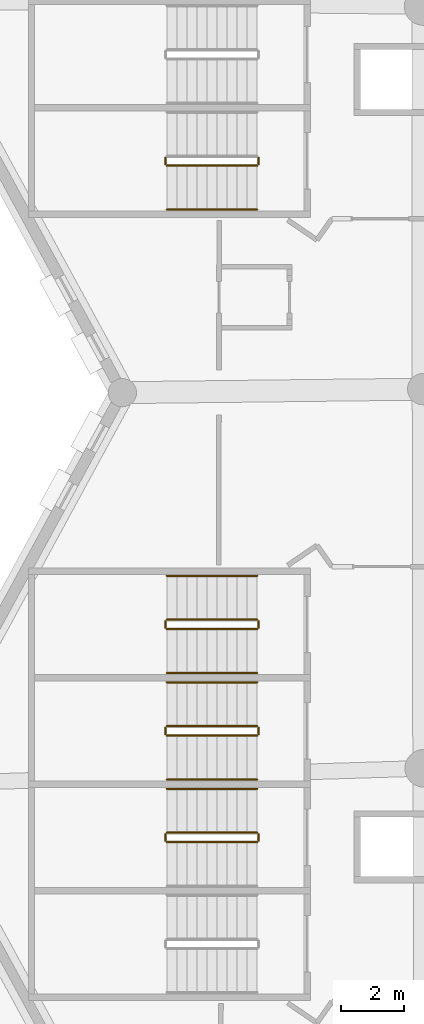
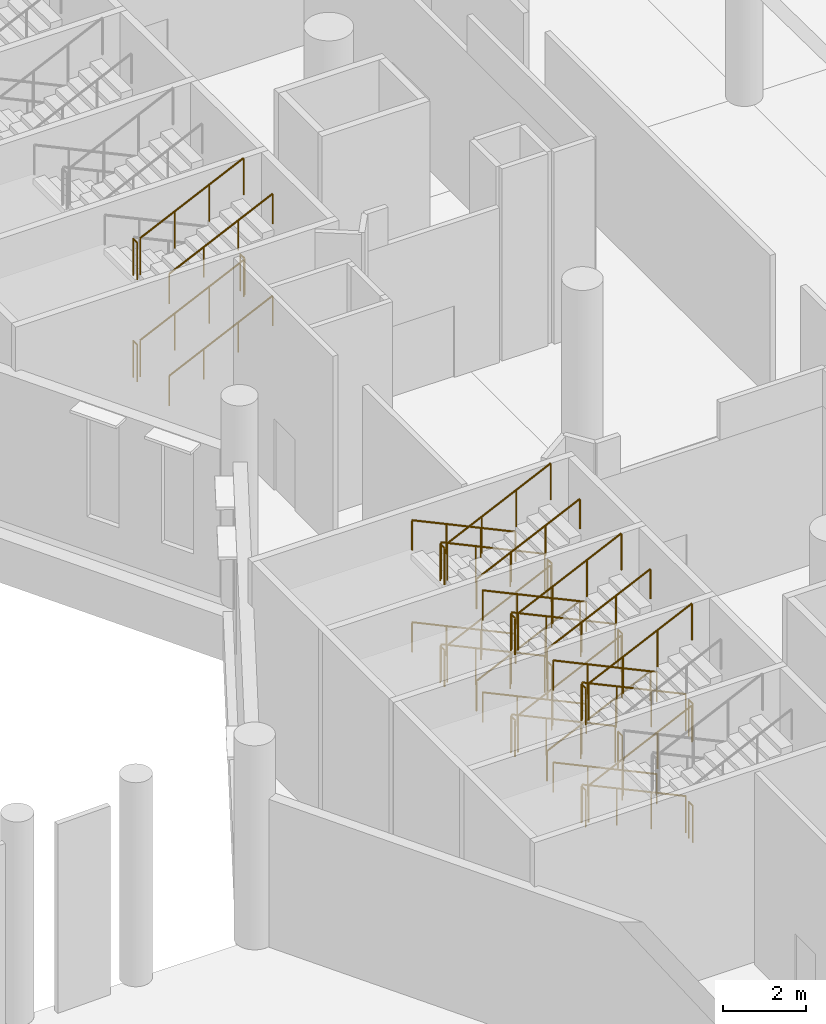
# One storey, part 212 of 249: 41 railings.
"""IFC4 building model written with IfcOpenShell, lengths in metres."""

from ifc_helpers import new_model, si_unit, direction, frame, origin, origin_2d, place, context, subcontext, project, spatial, circle, extrude, material, type_object, element, save


model = new_model("IFC4")

# Units and contexts
model_context = context("Model", 3, precision=1e-05, world=origin(), true_north=direction((0.0, 1.0)))
body_context = subcontext(model_context, "Body", "Model", "MODEL_VIEW")
ifc_project = project(units=[si_unit("LENGTHUNIT", "METRE"), si_unit("AREAUNIT", "SQUARE_METRE"), si_unit("VOLUMEUNIT", "CUBIC_METRE"), si_unit("PLANEANGLEUNIT", "RADIAN"), si_unit("MASSUNIT", "GRAM", prefix="KILO")], contexts=[model_context])

# Site, building, storey
site_placement = place(None, origin())
site = spatial("IfcSite", under=ifc_project, at=site_placement, CompositionType="ELEMENT")
building_placement = place(site_placement, origin())
building = spatial("IfcBuilding", under=site, at=building_placement, Name="Meseta Stadium", CompositionType="ELEMENT")
storey_placement = place(building_placement, frame((0.0, 0.0, 12.0)))
storey = spatial("IfcBuildingStorey", under=building, at=storey_placement, Name="L02", CompositionType="ELEMENT", Elevation=12.0)

# Railings
ifc_material_1 = material(Name="Steel S355", Category="steel")
railing_type_1 = type_object("IfcRailingType", Name="Stair guard 1100", PredefinedType="GUARDRAIL", material=ifc_material_1)
railing_1_placement = place(storey_placement, frame((-93.22998046875, 1.25, 1.5)))
element("IfcRailing", 1, at=railing_1_placement, inside=storey, type_object=railing_type_1, Name="ST68 L02 guard 2", PredefinedType="GUARDRAIL", context=body_context, shape_type="SweptSolid", body=[
    extrude(circle(Radius=0.02392578125, at=origin_2d()), frame((0.0, 0.0, 1.076171875), z_axis=(0.0, -1.0, 0.0), x_axis=(1.0, 0.0, 0.0)), (0.0, 0.0, 1.0), 0.199951171875),
    extrude(circle(Radius=0.02099609375, at=origin_2d()), origin(), (0.0, 0.0, 1.0), 1.052001953125),
    extrude(circle(Radius=0.02099609375, at=origin_2d()), frame((0.0, -0.199951171875, 0.0)), (0.0, 0.0, 1.0), 1.052001953125),
])
railing_2_placement = place(storey_placement, frame((-93.179931640625, 1.0, 1.64990234375)))
element("IfcRailing", 2, at=railing_2_placement, inside=storey, type_object=railing_type_1, Name="ST68 L02 guard 3", PredefinedType="GUARDRAIL", context=body_context, shape_type="SweptSolid", body=[
    extrude(circle(Radius=0.02392578125, at=origin_2d()), frame((0.0, 0.0, 1.076171875), z_axis=(0.905440498372, 0.0, 0.424473207528), x_axis=(0.0, 1.0, 0.0)), (0.0, 0.0, 1.0), 3.1806640625),
    extrude(circle(Radius=0.02099609375, at=origin_2d()), origin(), (0.0, 0.0, 1.0), 1.052001953125),
    extrude(circle(Radius=0.02099609375, at=origin_2d()), frame((0.9599609375, 0.0, 0.449951171875)), (0.0, 0.0, 1.0), 1.052001953125),
    extrude(circle(Radius=0.02099609375, at=origin_2d()), frame((1.919921875, 0.0, 0.900146484375)), (0.0, 0.0, 1.0), 1.052001953125),
    extrude(circle(Radius=0.02099609375, at=origin_2d()), frame((2.8798828125, 0.0, 1.35009765625)), (0.0, 0.0, 1.0), 1.052001953125),
])
for number, where, name in (
    (3, (-90.25, 1.25, 3.0), "ST68 L02 guard 4"),
    (4, (-93.22998046875, 1.25, 4.5), "ST68 L02 guard 6"),
):
    element("IfcRailing", number, at=place(storey_placement, frame(where)), inside=storey, type_object=railing_type_1, Name=name, PredefinedType="GUARDRAIL", context=body_context, shape_type="SweptSolid", body=[
        extrude(circle(Radius=0.02392578125, at=origin_2d()), frame((0.0, 0.0, 1.076171875), z_axis=(0.0, -1.0, 0.0), x_axis=(1.0, 0.0, 0.0)), (0.0, 0.0, 1.0), 0.199951171875),
        extrude(circle(Radius=0.02099609375, at=origin_2d()), origin(), (0.0, 0.0, 1.0), 1.052001953125),
        extrude(circle(Radius=0.02099609375, at=origin_2d()), frame((0.0, -0.199951171875, 0.0)), (0.0, 0.0, 1.0), 1.052001953125),
    ])
railing_3_placement = place(storey_placement, frame((-93.179931640625, 1.0, 4.64990234375)))
element("IfcRailing", 5, at=railing_3_placement, inside=storey, type_object=railing_type_1, Name="ST68 L02 guard 7", PredefinedType="GUARDRAIL", context=body_context, shape_type="SweptSolid", body=[
    extrude(circle(Radius=0.02392578125, at=origin_2d()), frame((0.0, 0.0, 1.076171875), z_axis=(0.905440498372, 0.0, 0.424473207528), x_axis=(0.0, 1.0, 0.0)), (0.0, 0.0, 1.0), 3.1806640625),
    extrude(circle(Radius=0.02099609375, at=origin_2d()), origin(), (0.0, 0.0, 1.0), 1.052001953125),
    extrude(circle(Radius=0.02099609375, at=origin_2d()), frame((0.9599609375, 0.0, 0.449951171875)), (0.0, 0.0, 1.0), 1.052001953125),
    extrude(circle(Radius=0.02099609375, at=origin_2d()), frame((1.919921875, 0.0, 0.900146484375)), (0.0, 0.0, 1.0), 1.052001953125),
    extrude(circle(Radius=0.02099609375, at=origin_2d()), frame((2.8798828125, 0.0, 1.35009765625)), (0.0, 0.0, 1.0), 1.052001953125),
])
railing_4_placement = place(storey_placement, frame((-90.300048828125, -13.5, 0.14990234375)))
element("IfcRailing", 6, at=railing_4_placement, inside=storey, type_object=railing_type_1, Name="ST69 L02 guard 1", PredefinedType="GUARDRAIL", context=body_context, shape_type="SweptSolid", body=[
    extrude(circle(Radius=0.02392578125, at=origin_2d()), frame((0.0, 0.0, 1.076171875), z_axis=(-0.905440498372, 0.0, 0.424473207528), x_axis=(0.0, -1.0, 0.0)), (0.0, 0.0, 1.0), 3.1806640625),
    extrude(circle(Radius=0.02099609375, at=origin_2d()), origin(), (0.0, 0.0, 1.0), 1.052001953125),
    extrude(circle(Radius=0.02099609375, at=origin_2d()), frame((-0.9599609375, 0.0, 0.449951171875)), (0.0, 0.0, 1.0), 1.052001953125),
    extrude(circle(Radius=0.02099609375, at=origin_2d()), frame((-1.919921875, 0.0, 0.900146484375)), (0.0, 0.0, 1.0), 1.052001953125),
    extrude(circle(Radius=0.02099609375, at=origin_2d()), frame((-2.8798828125, 0.0, 1.35009765625)), (0.0, 0.0, 1.0), 1.052001953125),
])
railing_5_placement = place(storey_placement, frame((-93.22998046875, -13.550048828125, 1.5)))
element("IfcRailing", 7, at=railing_5_placement, inside=storey, type_object=railing_type_1, Name="ST69 L02 guard 2", PredefinedType="GUARDRAIL", context=body_context, shape_type="SweptSolid", body=[
    extrude(circle(Radius=0.02392578125, at=origin_2d()), frame((0.0, 0.0, 1.076171875), z_axis=(0.0, -1.0, 0.0), x_axis=(1.0, 0.0, 0.0)), (0.0, 0.0, 1.0), 0.199951171875),
    extrude(circle(Radius=0.02099609375, at=origin_2d()), origin(), (0.0, 0.0, 1.0), 1.052001953125),
    extrude(circle(Radius=0.02099609375, at=origin_2d()), frame((0.0, -0.199951171875, 0.0)), (0.0, 0.0, 1.0), 1.052001953125),
])
railing_6_placement = place(storey_placement, frame((-93.179931640625, -13.800048828125, 1.64990234375)))
element("IfcRailing", 8, at=railing_6_placement, inside=storey, type_object=railing_type_1, Name="ST69 L02 guard 3", PredefinedType="GUARDRAIL", context=body_context, shape_type="SweptSolid", body=[
    extrude(circle(Radius=0.02392578125, at=origin_2d()), frame((0.0, 0.0, 1.076171875), z_axis=(0.905440498372, 0.0, 0.424473207528), x_axis=(0.0, 1.0, 0.0)), (0.0, 0.0, 1.0), 3.1806640625),
    extrude(circle(Radius=0.02099609375, at=origin_2d()), origin(), (0.0, 0.0, 1.0), 1.052001953125),
    extrude(circle(Radius=0.02099609375, at=origin_2d()), frame((0.9599609375, 0.0, 0.449951171875)), (0.0, 0.0, 1.0), 1.052001953125),
    extrude(circle(Radius=0.02099609375, at=origin_2d()), frame((1.919921875, 0.0, 0.900146484375)), (0.0, 0.0, 1.0), 1.052001953125),
    extrude(circle(Radius=0.02099609375, at=origin_2d()), frame((2.8798828125, 0.0, 1.35009765625)), (0.0, 0.0, 1.0), 1.052001953125),
])
railing_7_placement = place(storey_placement, frame((-90.25, -13.550048828125, 3.0)))
element("IfcRailing", 9, at=railing_7_placement, inside=storey, type_object=railing_type_1, Name="ST69 L02 guard 4", PredefinedType="GUARDRAIL", context=body_context, shape_type="SweptSolid", body=[
    extrude(circle(Radius=0.02392578125, at=origin_2d()), frame((0.0, 0.0, 1.076171875), z_axis=(0.0, -1.0, 0.0), x_axis=(1.0, 0.0, 0.0)), (0.0, 0.0, 1.0), 0.199951171875),
    extrude(circle(Radius=0.02099609375, at=origin_2d()), origin(), (0.0, 0.0, 1.0), 1.052001953125),
    extrude(circle(Radius=0.02099609375, at=origin_2d()), frame((0.0, -0.199951171875, 0.0)), (0.0, 0.0, 1.0), 1.052001953125),
])
railing_8_placement = place(storey_placement, frame((-90.300048828125, -13.5, 3.14990234375)))
element("IfcRailing", 10, at=railing_8_placement, inside=storey, type_object=railing_type_1, Name="ST69 L02 guard 5", PredefinedType="GUARDRAIL", context=body_context, shape_type="SweptSolid", body=[
    extrude(circle(Radius=0.02392578125, at=origin_2d()), frame((0.0, 0.0, 1.076171875), z_axis=(-0.905440498372, 0.0, 0.424473207528), x_axis=(0.0, -1.0, 0.0)), (0.0, 0.0, 1.0), 3.1806640625),
    extrude(circle(Radius=0.02099609375, at=origin_2d()), origin(), (0.0, 0.0, 1.0), 1.052001953125),
    extrude(circle(Radius=0.02099609375, at=origin_2d()), frame((-0.9599609375, 0.0, 0.449951171875)), (0.0, 0.0, 1.0), 1.052001953125),
    extrude(circle(Radius=0.02099609375, at=origin_2d()), frame((-1.919921875, 0.0, 0.900146484375)), (0.0, 0.0, 1.0), 1.052001953125),
    extrude(circle(Radius=0.02099609375, at=origin_2d()), frame((-2.8798828125, 0.0, 1.35009765625)), (0.0, 0.0, 1.0), 1.052001953125),
])
railing_9_placement = place(storey_placement, frame((-93.22998046875, -13.550048828125, 4.5)))
element("IfcRailing", 11, at=railing_9_placement, inside=storey, type_object=railing_type_1, Name="ST69 L02 guard 6", PredefinedType="GUARDRAIL", context=body_context, shape_type="SweptSolid", body=[
    extrude(circle(Radius=0.02392578125, at=origin_2d()), frame((0.0, 0.0, 1.076171875), z_axis=(0.0, -1.0, 0.0), x_axis=(1.0, 0.0, 0.0)), (0.0, 0.0, 1.0), 0.199951171875),
    extrude(circle(Radius=0.02099609375, at=origin_2d()), origin(), (0.0, 0.0, 1.0), 1.052001953125),
    extrude(circle(Radius=0.02099609375, at=origin_2d()), frame((0.0, -0.199951171875, 0.0)), (0.0, 0.0, 1.0), 1.052001953125),
])
railing_10_placement = place(storey_placement, frame((-93.179931640625, -13.800048828125, 4.64990234375)))
element("IfcRailing", 12, at=railing_10_placement, inside=storey, type_object=railing_type_1, Name="ST69 L02 guard 7", PredefinedType="GUARDRAIL", context=body_context, shape_type="SweptSolid", body=[
    extrude(circle(Radius=0.02392578125, at=origin_2d()), frame((0.0, 0.0, 1.076171875), z_axis=(0.905440498372, 0.0, 0.424473207528), x_axis=(0.0, 1.0, 0.0)), (0.0, 0.0, 1.0), 3.1806640625),
    extrude(circle(Radius=0.02099609375, at=origin_2d()), origin(), (0.0, 0.0, 1.0), 1.052001953125),
    extrude(circle(Radius=0.02099609375, at=origin_2d()), frame((0.9599609375, 0.0, 0.449951171875)), (0.0, 0.0, 1.0), 1.052001953125),
    extrude(circle(Radius=0.02099609375, at=origin_2d()), frame((1.919921875, 0.0, 0.900146484375)), (0.0, 0.0, 1.0), 1.052001953125),
    extrude(circle(Radius=0.02099609375, at=origin_2d()), frame((2.8798828125, 0.0, 1.35009765625)), (0.0, 0.0, 1.0), 1.052001953125),
])
railing_11_placement = place(storey_placement, frame((-90.25, -13.550048828125, 0.0)))
element("IfcRailing", 13, at=railing_11_placement, inside=storey, type_object=railing_type_1, Name="ST69 L02 guard 8", PredefinedType="GUARDRAIL", context=body_context, shape_type="SweptSolid", body=[
    extrude(circle(Radius=0.02392578125, at=origin_2d()), frame((0.0, 0.0, 1.076171875), z_axis=(0.0, -1.0, 0.0), x_axis=(1.0, 0.0, 0.0)), (0.0, 0.0, 1.0), 0.199951171875),
    extrude(circle(Radius=0.02099609375, at=origin_2d()), origin(), (0.0, 0.0, 1.0), 1.052001953125),
    extrude(circle(Radius=0.02099609375, at=origin_2d()), frame((0.0, -0.199951171875, 0.0)), (0.0, 0.0, 1.0), 1.052001953125),
])
railing_12_placement = place(storey_placement, frame((-90.300048828125, -16.89990234375, 0.14990234375)))
element("IfcRailing", 14, at=railing_12_placement, inside=storey, type_object=railing_type_1, Name="ST70 L02 guard 1", PredefinedType="GUARDRAIL", context=body_context, shape_type="SweptSolid", body=[
    extrude(circle(Radius=0.02392578125, at=origin_2d()), frame((0.0, 0.0, 1.076171875), z_axis=(-0.905440498372, 0.0, 0.424473207528), x_axis=(0.0, -1.0, 0.0)), (0.0, 0.0, 1.0), 3.1806640625),
    extrude(circle(Radius=0.02099609375, at=origin_2d()), origin(), (0.0, 0.0, 1.0), 1.052001953125),
    extrude(circle(Radius=0.02099609375, at=origin_2d()), frame((-0.9599609375, 0.0, 0.449951171875)), (0.0, 0.0, 1.0), 1.052001953125),
    extrude(circle(Radius=0.02099609375, at=origin_2d()), frame((-1.919921875, 0.0, 0.900146484375)), (0.0, 0.0, 1.0), 1.052001953125),
    extrude(circle(Radius=0.02099609375, at=origin_2d()), frame((-2.8798828125, 0.0, 1.35009765625)), (0.0, 0.0, 1.0), 1.052001953125),
])
railing_13_placement = place(storey_placement, frame((-93.22998046875, -16.949951171875, 1.5)))
element("IfcRailing", 15, at=railing_13_placement, inside=storey, type_object=railing_type_1, Name="ST70 L02 guard 2", PredefinedType="GUARDRAIL", context=body_context, shape_type="SweptSolid", body=[
    extrude(circle(Radius=0.02392578125, at=origin_2d()), frame((0.0, 0.0, 1.076171875), z_axis=(0.0, -1.0, 0.0), x_axis=(1.0, 0.0, 0.0)), (0.0, 0.0, 1.0), 0.199951171875),
    extrude(circle(Radius=0.02099609375, at=origin_2d()), origin(), (0.0, 0.0, 1.0), 1.052001953125),
    extrude(circle(Radius=0.02099609375, at=origin_2d()), frame((0.0, -0.199951171875, 0.0)), (0.0, 0.0, 1.0), 1.052001953125),
])
railing_14_placement = place(storey_placement, frame((-93.179931640625, -17.199951171875, 1.64990234375)))
element("IfcRailing", 16, at=railing_14_placement, inside=storey, type_object=railing_type_1, Name="ST70 L02 guard 3", PredefinedType="GUARDRAIL", context=body_context, shape_type="SweptSolid", body=[
    extrude(circle(Radius=0.02392578125, at=origin_2d()), frame((0.0, 0.0, 1.076171875), z_axis=(0.905440498372, 0.0, 0.424473207528), x_axis=(0.0, 1.0, 0.0)), (0.0, 0.0, 1.0), 3.1806640625),
    extrude(circle(Radius=0.02099609375, at=origin_2d()), origin(), (0.0, 0.0, 1.0), 1.052001953125),
    extrude(circle(Radius=0.02099609375, at=origin_2d()), frame((0.9599609375, 0.0, 0.449951171875)), (0.0, 0.0, 1.0), 1.052001953125),
    extrude(circle(Radius=0.02099609375, at=origin_2d()), frame((1.919921875, 0.0, 0.900146484375)), (0.0, 0.0, 1.0), 1.052001953125),
    extrude(circle(Radius=0.02099609375, at=origin_2d()), frame((2.8798828125, 0.0, 1.35009765625)), (0.0, 0.0, 1.0), 1.052001953125),
])
railing_15_placement = place(storey_placement, frame((-90.25, -16.949951171875, 3.0)))
element("IfcRailing", 17, at=railing_15_placement, inside=storey, type_object=railing_type_1, Name="ST70 L02 guard 4", PredefinedType="GUARDRAIL", context=body_context, shape_type="SweptSolid", body=[
    extrude(circle(Radius=0.02392578125, at=origin_2d()), frame((0.0, 0.0, 1.076171875), z_axis=(0.0, -1.0, 0.0), x_axis=(1.0, 0.0, 0.0)), (0.0, 0.0, 1.0), 0.199951171875),
    extrude(circle(Radius=0.02099609375, at=origin_2d()), origin(), (0.0, 0.0, 1.0), 1.052001953125),
    extrude(circle(Radius=0.02099609375, at=origin_2d()), frame((0.0, -0.199951171875, 0.0)), (0.0, 0.0, 1.0), 1.052001953125),
])
railing_16_placement = place(storey_placement, frame((-90.300048828125, -16.89990234375, 3.14990234375)))
element("IfcRailing", 18, at=railing_16_placement, inside=storey, type_object=railing_type_1, Name="ST70 L02 guard 5", PredefinedType="GUARDRAIL", context=body_context, shape_type="SweptSolid", body=[
    extrude(circle(Radius=0.02392578125, at=origin_2d()), frame((0.0, 0.0, 1.076171875), z_axis=(-0.905440498372, 0.0, 0.424473207528), x_axis=(0.0, -1.0, 0.0)), (0.0, 0.0, 1.0), 3.1806640625),
    extrude(circle(Radius=0.02099609375, at=origin_2d()), origin(), (0.0, 0.0, 1.0), 1.052001953125),
    extrude(circle(Radius=0.02099609375, at=origin_2d()), frame((-0.9599609375, 0.0, 0.449951171875)), (0.0, 0.0, 1.0), 1.052001953125),
    extrude(circle(Radius=0.02099609375, at=origin_2d()), frame((-1.919921875, 0.0, 0.900146484375)), (0.0, 0.0, 1.0), 1.052001953125),
    extrude(circle(Radius=0.02099609375, at=origin_2d()), frame((-2.8798828125, 0.0, 1.35009765625)), (0.0, 0.0, 1.0), 1.052001953125),
])
railing_17_placement = place(storey_placement, frame((-93.22998046875, -16.949951171875, 4.5)))
element("IfcRailing", 19, at=railing_17_placement, inside=storey, type_object=railing_type_1, Name="ST70 L02 guard 6", PredefinedType="GUARDRAIL", context=body_context, shape_type="SweptSolid", body=[
    extrude(circle(Radius=0.02392578125, at=origin_2d()), frame((0.0, 0.0, 1.076171875), z_axis=(0.0, -1.0, 0.0), x_axis=(1.0, 0.0, 0.0)), (0.0, 0.0, 1.0), 0.199951171875),
    extrude(circle(Radius=0.02099609375, at=origin_2d()), origin(), (0.0, 0.0, 1.0), 1.052001953125),
    extrude(circle(Radius=0.02099609375, at=origin_2d()), frame((0.0, -0.199951171875, 0.0)), (0.0, 0.0, 1.0), 1.052001953125),
])
railing_18_placement = place(storey_placement, frame((-93.179931640625, -17.199951171875, 4.64990234375)))
element("IfcRailing", 20, at=railing_18_placement, inside=storey, type_object=railing_type_1, Name="ST70 L02 guard 7", PredefinedType="GUARDRAIL", context=body_context, shape_type="SweptSolid", body=[
    extrude(circle(Radius=0.02392578125, at=origin_2d()), frame((0.0, 0.0, 1.076171875), z_axis=(0.905440498372, 0.0, 0.424473207528), x_axis=(0.0, 1.0, 0.0)), (0.0, 0.0, 1.0), 3.1806640625),
    extrude(circle(Radius=0.02099609375, at=origin_2d()), origin(), (0.0, 0.0, 1.0), 1.052001953125),
    extrude(circle(Radius=0.02099609375, at=origin_2d()), frame((0.9599609375, 0.0, 0.449951171875)), (0.0, 0.0, 1.0), 1.052001953125),
    extrude(circle(Radius=0.02099609375, at=origin_2d()), frame((1.919921875, 0.0, 0.900146484375)), (0.0, 0.0, 1.0), 1.052001953125),
    extrude(circle(Radius=0.02099609375, at=origin_2d()), frame((2.8798828125, 0.0, 1.35009765625)), (0.0, 0.0, 1.0), 1.052001953125),
])
railing_19_placement = place(storey_placement, frame((-90.25, -16.949951171875, 0.0)))
element("IfcRailing", 21, at=railing_19_placement, inside=storey, type_object=railing_type_1, Name="ST70 L02 guard 8", PredefinedType="GUARDRAIL", context=body_context, shape_type="SweptSolid", body=[
    extrude(circle(Radius=0.02392578125, at=origin_2d()), frame((0.0, 0.0, 1.076171875), z_axis=(0.0, -1.0, 0.0), x_axis=(1.0, 0.0, 0.0)), (0.0, 0.0, 1.0), 0.199951171875),
    extrude(circle(Radius=0.02099609375, at=origin_2d()), origin(), (0.0, 0.0, 1.0), 1.052001953125),
    extrude(circle(Radius=0.02099609375, at=origin_2d()), frame((0.0, -0.199951171875, 0.0)), (0.0, 0.0, 1.0), 1.052001953125),
])
railing_20_placement = place(storey_placement, frame((-90.300048828125, -20.300048828125, 0.14990234375)))
element("IfcRailing", 22, at=railing_20_placement, inside=storey, type_object=railing_type_1, Name="ST71 L02 guard 1", PredefinedType="GUARDRAIL", context=body_context, shape_type="SweptSolid", body=[
    extrude(circle(Radius=0.02392578125, at=origin_2d()), frame((0.0, 0.0, 1.076171875), z_axis=(-0.905440498372, 0.0, 0.424473207528), x_axis=(0.0, -1.0, 0.0)), (0.0, 0.0, 1.0), 3.1806640625),
    extrude(circle(Radius=0.02099609375, at=origin_2d()), origin(), (0.0, 0.0, 1.0), 1.052001953125),
    extrude(circle(Radius=0.02099609375, at=origin_2d()), frame((-0.9599609375, 0.0, 0.449951171875)), (0.0, 0.0, 1.0), 1.052001953125),
    extrude(circle(Radius=0.02099609375, at=origin_2d()), frame((-1.919921875, 0.0, 0.900146484375)), (0.0, 0.0, 1.0), 1.052001953125),
    extrude(circle(Radius=0.02099609375, at=origin_2d()), frame((-2.8798828125, 0.0, 1.35009765625)), (0.0, 0.0, 1.0), 1.052001953125),
])
railing_21_placement = place(storey_placement, frame((-93.22998046875, -20.35009765625, 1.5)))
element("IfcRailing", 23, at=railing_21_placement, inside=storey, type_object=railing_type_1, Name="ST71 L02 guard 2", PredefinedType="GUARDRAIL", context=body_context, shape_type="SweptSolid", body=[
    extrude(circle(Radius=0.02392578125, at=origin_2d()), frame((0.0, 0.0, 1.076171875), z_axis=(0.0, -1.0, 0.0), x_axis=(1.0, 0.0, 0.0)), (0.0, 0.0, 1.0), 0.199951171875),
    extrude(circle(Radius=0.02099609375, at=origin_2d()), origin(), (0.0, 0.0, 1.0), 1.052001953125),
    extrude(circle(Radius=0.02099609375, at=origin_2d()), frame((0.0, -0.199951171875, 0.0)), (0.0, 0.0, 1.0), 1.052001953125),
])
railing_22_placement = place(storey_placement, frame((-93.179931640625, -20.60009765625, 1.64990234375)))
element("IfcRailing", 24, at=railing_22_placement, inside=storey, type_object=railing_type_1, Name="ST71 L02 guard 3", PredefinedType="GUARDRAIL", context=body_context, shape_type="SweptSolid", body=[
    extrude(circle(Radius=0.02392578125, at=origin_2d()), frame((0.0, 0.0, 1.076171875), z_axis=(0.905440498372, 0.0, 0.424473207528), x_axis=(0.0, 1.0, 0.0)), (0.0, 0.0, 1.0), 3.1806640625),
    extrude(circle(Radius=0.02099609375, at=origin_2d()), origin(), (0.0, 0.0, 1.0), 1.052001953125),
    extrude(circle(Radius=0.02099609375, at=origin_2d()), frame((0.9599609375, 0.0, 0.449951171875)), (0.0, 0.0, 1.0), 1.052001953125),
    extrude(circle(Radius=0.02099609375, at=origin_2d()), frame((1.919921875, 0.0, 0.900146484375)), (0.0, 0.0, 1.0), 1.052001953125),
    extrude(circle(Radius=0.02099609375, at=origin_2d()), frame((2.8798828125, 0.0, 1.35009765625)), (0.0, 0.0, 1.0), 1.052001953125),
])
railing_23_placement = place(storey_placement, frame((-90.25, -20.35009765625, 3.0)))
element("IfcRailing", 25, at=railing_23_placement, inside=storey, type_object=railing_type_1, Name="ST71 L02 guard 4", PredefinedType="GUARDRAIL", context=body_context, shape_type="SweptSolid", body=[
    extrude(circle(Radius=0.02392578125, at=origin_2d()), frame((0.0, 0.0, 1.076171875), z_axis=(0.0, -1.0, 0.0), x_axis=(1.0, 0.0, 0.0)), (0.0, 0.0, 1.0), 0.199951171875),
    extrude(circle(Radius=0.02099609375, at=origin_2d()), origin(), (0.0, 0.0, 1.0), 1.052001953125),
    extrude(circle(Radius=0.02099609375, at=origin_2d()), frame((0.0, -0.199951171875, 0.0)), (0.0, 0.0, 1.0), 1.052001953125),
])
railing_24_placement = place(storey_placement, frame((-90.300048828125, -20.300048828125, 3.14990234375)))
element("IfcRailing", 26, at=railing_24_placement, inside=storey, type_object=railing_type_1, Name="ST71 L02 guard 5", PredefinedType="GUARDRAIL", context=body_context, shape_type="SweptSolid", body=[
    extrude(circle(Radius=0.02392578125, at=origin_2d()), frame((0.0, 0.0, 1.076171875), z_axis=(-0.905440498372, 0.0, 0.424473207528), x_axis=(0.0, -1.0, 0.0)), (0.0, 0.0, 1.0), 3.1806640625),
    extrude(circle(Radius=0.02099609375, at=origin_2d()), origin(), (0.0, 0.0, 1.0), 1.052001953125),
    extrude(circle(Radius=0.02099609375, at=origin_2d()), frame((-0.9599609375, 0.0, 0.449951171875)), (0.0, 0.0, 1.0), 1.052001953125),
    extrude(circle(Radius=0.02099609375, at=origin_2d()), frame((-1.919921875, 0.0, 0.900146484375)), (0.0, 0.0, 1.0), 1.052001953125),
    extrude(circle(Radius=0.02099609375, at=origin_2d()), frame((-2.8798828125, 0.0, 1.35009765625)), (0.0, 0.0, 1.0), 1.052001953125),
])
railing_25_placement = place(storey_placement, frame((-93.22998046875, -20.35009765625, 4.5)))
element("IfcRailing", 27, at=railing_25_placement, inside=storey, type_object=railing_type_1, Name="ST71 L02 guard 6", PredefinedType="GUARDRAIL", context=body_context, shape_type="SweptSolid", body=[
    extrude(circle(Radius=0.02392578125, at=origin_2d()), frame((0.0, 0.0, 1.076171875), z_axis=(0.0, -1.0, 0.0), x_axis=(1.0, 0.0, 0.0)), (0.0, 0.0, 1.0), 0.199951171875),
    extrude(circle(Radius=0.02099609375, at=origin_2d()), origin(), (0.0, 0.0, 1.0), 1.052001953125),
    extrude(circle(Radius=0.02099609375, at=origin_2d()), frame((0.0, -0.199951171875, 0.0)), (0.0, 0.0, 1.0), 1.052001953125),
])
railing_26_placement = place(storey_placement, frame((-93.179931640625, -20.60009765625, 4.64990234375)))
element("IfcRailing", 28, at=railing_26_placement, inside=storey, type_object=railing_type_1, Name="ST71 L02 guard 7", PredefinedType="GUARDRAIL", context=body_context, shape_type="SweptSolid", body=[
    extrude(circle(Radius=0.02392578125, at=origin_2d()), frame((0.0, 0.0, 1.076171875), z_axis=(0.905440498372, 0.0, 0.424473207528), x_axis=(0.0, 1.0, 0.0)), (0.0, 0.0, 1.0), 3.1806640625),
    extrude(circle(Radius=0.02099609375, at=origin_2d()), origin(), (0.0, 0.0, 1.0), 1.052001953125),
    extrude(circle(Radius=0.02099609375, at=origin_2d()), frame((0.9599609375, 0.0, 0.449951171875)), (0.0, 0.0, 1.0), 1.052001953125),
    extrude(circle(Radius=0.02099609375, at=origin_2d()), frame((1.919921875, 0.0, 0.900146484375)), (0.0, 0.0, 1.0), 1.052001953125),
    extrude(circle(Radius=0.02099609375, at=origin_2d()), frame((2.8798828125, 0.0, 1.35009765625)), (0.0, 0.0, 1.0), 1.052001953125),
])
railing_27_placement = place(storey_placement, frame((-90.25, -20.35009765625, 0.0)))
element("IfcRailing", 29, at=railing_27_placement, inside=storey, type_object=railing_type_1, Name="ST71 L02 guard 8", PredefinedType="GUARDRAIL", context=body_context, shape_type="SweptSolid", body=[
    extrude(circle(Radius=0.02392578125, at=origin_2d()), frame((0.0, 0.0, 1.076171875), z_axis=(0.0, -1.0, 0.0), x_axis=(1.0, 0.0, 0.0)), (0.0, 0.0, 1.0), 0.199951171875),
    extrude(circle(Radius=0.02099609375, at=origin_2d()), origin(), (0.0, 0.0, 1.0), 1.052001953125),
    extrude(circle(Radius=0.02099609375, at=origin_2d()), frame((0.0, -0.199951171875, 0.0)), (0.0, 0.0, 1.0), 1.052001953125),
])
ifc_material_2 = material(Name="Steel S355", Category="steel")
railing_type_2 = type_object("IfcRailingType", Name="Stair handrail 900", PredefinedType="HANDRAIL", material=ifc_material_2)
for number, where, name in (
    (30, (-93.179931640625, -0.39990234375, 1.64990234375), "ST68 L02 handrail 2"),
    (31, (-93.179931640625, -0.39990234375, 4.64990234375), "ST68 L02 handrail 4"),
):
    element("IfcRailing", number, at=place(storey_placement, frame(where)), inside=storey, type_object=railing_type_2, Name=name, PredefinedType="HANDRAIL", context=body_context, shape_type="SweptSolid", body=[
        extrude(circle(Radius=0.02392578125, at=origin_2d()), frame((0.0, 0.0, 0.8759765625), z_axis=(0.905440498372, 0.0, 0.424473207528), x_axis=(0.0, 1.0, 0.0)), (0.0, 0.0, 1.0), 3.1806640625),
        extrude(circle(Radius=0.02099609375, at=origin_2d()), origin(), (0.0, 0.0, 1.0), 0.851806640625),
        extrude(circle(Radius=0.02099609375, at=origin_2d()), frame((0.9599609375, 0.0, 0.449951171875)), (0.0, 0.0, 1.0), 0.851806640625),
        extrude(circle(Radius=0.02099609375, at=origin_2d()), frame((1.919921875, 0.0, 0.900146484375)), (0.0, 0.0, 1.0), 0.851806640625),
        extrude(circle(Radius=0.02099609375, at=origin_2d()), frame((2.8798828125, 0.0, 1.35009765625)), (0.0, 0.0, 1.0), 0.851806640625),
    ])
railing_28_placement = place(storey_placement, frame((-90.300048828125, -12.10009765625, 0.14990234375)))
element("IfcRailing", 32, at=railing_28_placement, inside=storey, type_object=railing_type_2, Name="ST69 L02 handrail 1", PredefinedType="HANDRAIL", context=body_context, shape_type="SweptSolid", body=[
    extrude(circle(Radius=0.02392578125, at=origin_2d()), frame((0.0, 0.0, 0.8759765625), z_axis=(-0.905440498372, 0.0, 0.424473207528), x_axis=(0.0, -1.0, 0.0)), (0.0, 0.0, 1.0), 3.1806640625),
    extrude(circle(Radius=0.02099609375, at=origin_2d()), origin(), (0.0, 0.0, 1.0), 0.851806640625),
    extrude(circle(Radius=0.02099609375, at=origin_2d()), frame((-0.9599609375, 0.0, 0.449951171875)), (0.0, 0.0, 1.0), 0.851806640625),
    extrude(circle(Radius=0.02099609375, at=origin_2d()), frame((-1.919921875, 0.0, 0.900146484375)), (0.0, 0.0, 1.0), 0.851806640625),
    extrude(circle(Radius=0.02099609375, at=origin_2d()), frame((-2.8798828125, 0.0, 1.35009765625)), (0.0, 0.0, 1.0), 0.851806640625),
])
railing_29_placement = place(storey_placement, frame((-93.179931640625, -15.199951171875, 1.64990234375)))
element("IfcRailing", 33, at=railing_29_placement, inside=storey, type_object=railing_type_2, Name="ST69 L02 handrail 2", PredefinedType="HANDRAIL", context=body_context, shape_type="SweptSolid", body=[
    extrude(circle(Radius=0.02392578125, at=origin_2d()), frame((0.0, 0.0, 0.8759765625), z_axis=(0.905440498372, 0.0, 0.424473207528), x_axis=(0.0, 1.0, 0.0)), (0.0, 0.0, 1.0), 3.1806640625),
    extrude(circle(Radius=0.02099609375, at=origin_2d()), origin(), (0.0, 0.0, 1.0), 0.851806640625),
    extrude(circle(Radius=0.02099609375, at=origin_2d()), frame((0.9599609375, 0.0, 0.449951171875)), (0.0, 0.0, 1.0), 0.851806640625),
    extrude(circle(Radius=0.02099609375, at=origin_2d()), frame((1.919921875, 0.0, 0.900146484375)), (0.0, 0.0, 1.0), 0.851806640625),
    extrude(circle(Radius=0.02099609375, at=origin_2d()), frame((2.8798828125, 0.0, 1.35009765625)), (0.0, 0.0, 1.0), 0.851806640625),
])
railing_30_placement = place(storey_placement, frame((-90.300048828125, -12.10009765625, 3.14990234375)))
element("IfcRailing", 34, at=railing_30_placement, inside=storey, type_object=railing_type_2, Name="ST69 L02 handrail 3", PredefinedType="HANDRAIL", context=body_context, shape_type="SweptSolid", body=[
    extrude(circle(Radius=0.02392578125, at=origin_2d()), frame((0.0, 0.0, 0.8759765625), z_axis=(-0.905440498372, 0.0, 0.424473207528), x_axis=(0.0, -1.0, 0.0)), (0.0, 0.0, 1.0), 3.1806640625),
    extrude(circle(Radius=0.02099609375, at=origin_2d()), origin(), (0.0, 0.0, 1.0), 0.851806640625),
    extrude(circle(Radius=0.02099609375, at=origin_2d()), frame((-0.9599609375, 0.0, 0.449951171875)), (0.0, 0.0, 1.0), 0.851806640625),
    extrude(circle(Radius=0.02099609375, at=origin_2d()), frame((-1.919921875, 0.0, 0.900146484375)), (0.0, 0.0, 1.0), 0.851806640625),
    extrude(circle(Radius=0.02099609375, at=origin_2d()), frame((-2.8798828125, 0.0, 1.35009765625)), (0.0, 0.0, 1.0), 0.851806640625),
])
railing_31_placement = place(storey_placement, frame((-93.179931640625, -15.199951171875, 4.64990234375)))
element("IfcRailing", 35, at=railing_31_placement, inside=storey, type_object=railing_type_2, Name="ST69 L02 handrail 4", PredefinedType="HANDRAIL", context=body_context, shape_type="SweptSolid", body=[
    extrude(circle(Radius=0.02392578125, at=origin_2d()), frame((0.0, 0.0, 0.8759765625), z_axis=(0.905440498372, 0.0, 0.424473207528), x_axis=(0.0, 1.0, 0.0)), (0.0, 0.0, 1.0), 3.1806640625),
    extrude(circle(Radius=0.02099609375, at=origin_2d()), origin(), (0.0, 0.0, 1.0), 0.851806640625),
    extrude(circle(Radius=0.02099609375, at=origin_2d()), frame((0.9599609375, 0.0, 0.449951171875)), (0.0, 0.0, 1.0), 0.851806640625),
    extrude(circle(Radius=0.02099609375, at=origin_2d()), frame((1.919921875, 0.0, 0.900146484375)), (0.0, 0.0, 1.0), 0.851806640625),
    extrude(circle(Radius=0.02099609375, at=origin_2d()), frame((2.8798828125, 0.0, 1.35009765625)), (0.0, 0.0, 1.0), 0.851806640625),
])
railing_32_placement = place(storey_placement, frame((-90.300048828125, -15.5, 0.14990234375)))
element("IfcRailing", 36, at=railing_32_placement, inside=storey, type_object=railing_type_2, Name="ST70 L02 handrail 1", PredefinedType="HANDRAIL", context=body_context, shape_type="SweptSolid", body=[
    extrude(circle(Radius=0.02392578125, at=origin_2d()), frame((0.0, 0.0, 0.8759765625), z_axis=(-0.905440498372, 0.0, 0.424473207528), x_axis=(0.0, -1.0, 0.0)), (0.0, 0.0, 1.0), 3.1806640625),
    extrude(circle(Radius=0.02099609375, at=origin_2d()), origin(), (0.0, 0.0, 1.0), 0.851806640625),
    extrude(circle(Radius=0.02099609375, at=origin_2d()), frame((-0.9599609375, 0.0, 0.449951171875)), (0.0, 0.0, 1.0), 0.851806640625),
    extrude(circle(Radius=0.02099609375, at=origin_2d()), frame((-1.919921875, 0.0, 0.900146484375)), (0.0, 0.0, 1.0), 0.851806640625),
    extrude(circle(Radius=0.02099609375, at=origin_2d()), frame((-2.8798828125, 0.0, 1.35009765625)), (0.0, 0.0, 1.0), 0.851806640625),
])
railing_33_placement = place(storey_placement, frame((-93.179931640625, -18.60009765625, 1.64990234375)))
element("IfcRailing", 37, at=railing_33_placement, inside=storey, type_object=railing_type_2, Name="ST70 L02 handrail 2", PredefinedType="HANDRAIL", context=body_context, shape_type="SweptSolid", body=[
    extrude(circle(Radius=0.02392578125, at=origin_2d()), frame((0.0, 0.0, 0.8759765625), z_axis=(0.905440498372, 0.0, 0.424473207528), x_axis=(0.0, 1.0, 0.0)), (0.0, 0.0, 1.0), 3.1806640625),
    extrude(circle(Radius=0.02099609375, at=origin_2d()), origin(), (0.0, 0.0, 1.0), 0.851806640625),
    extrude(circle(Radius=0.02099609375, at=origin_2d()), frame((0.9599609375, 0.0, 0.449951171875)), (0.0, 0.0, 1.0), 0.851806640625),
    extrude(circle(Radius=0.02099609375, at=origin_2d()), frame((1.919921875, 0.0, 0.900146484375)), (0.0, 0.0, 1.0), 0.851806640625),
    extrude(circle(Radius=0.02099609375, at=origin_2d()), frame((2.8798828125, 0.0, 1.35009765625)), (0.0, 0.0, 1.0), 0.851806640625),
])
railing_34_placement = place(storey_placement, frame((-90.300048828125, -15.5, 3.14990234375)))
element("IfcRailing", 38, at=railing_34_placement, inside=storey, type_object=railing_type_2, Name="ST70 L02 handrail 3", PredefinedType="HANDRAIL", context=body_context, shape_type="SweptSolid", body=[
    extrude(circle(Radius=0.02392578125, at=origin_2d()), frame((0.0, 0.0, 0.8759765625), z_axis=(-0.905440498372, 0.0, 0.424473207528), x_axis=(0.0, -1.0, 0.0)), (0.0, 0.0, 1.0), 3.1806640625),
    extrude(circle(Radius=0.02099609375, at=origin_2d()), origin(), (0.0, 0.0, 1.0), 0.851806640625),
    extrude(circle(Radius=0.02099609375, at=origin_2d()), frame((-0.9599609375, 0.0, 0.449951171875)), (0.0, 0.0, 1.0), 0.851806640625),
    extrude(circle(Radius=0.02099609375, at=origin_2d()), frame((-1.919921875, 0.0, 0.900146484375)), (0.0, 0.0, 1.0), 0.851806640625),
    extrude(circle(Radius=0.02099609375, at=origin_2d()), frame((-2.8798828125, 0.0, 1.35009765625)), (0.0, 0.0, 1.0), 0.851806640625),
])
railing_35_placement = place(storey_placement, frame((-93.179931640625, -18.60009765625, 4.64990234375)))
element("IfcRailing", 39, at=railing_35_placement, inside=storey, type_object=railing_type_2, Name="ST70 L02 handrail 4", PredefinedType="HANDRAIL", context=body_context, shape_type="SweptSolid", body=[
    extrude(circle(Radius=0.02392578125, at=origin_2d()), frame((0.0, 0.0, 0.8759765625), z_axis=(0.905440498372, 0.0, 0.424473207528), x_axis=(0.0, 1.0, 0.0)), (0.0, 0.0, 1.0), 3.1806640625),
    extrude(circle(Radius=0.02099609375, at=origin_2d()), origin(), (0.0, 0.0, 1.0), 0.851806640625),
    extrude(circle(Radius=0.02099609375, at=origin_2d()), frame((0.9599609375, 0.0, 0.449951171875)), (0.0, 0.0, 1.0), 0.851806640625),
    extrude(circle(Radius=0.02099609375, at=origin_2d()), frame((1.919921875, 0.0, 0.900146484375)), (0.0, 0.0, 1.0), 0.851806640625),
    extrude(circle(Radius=0.02099609375, at=origin_2d()), frame((2.8798828125, 0.0, 1.35009765625)), (0.0, 0.0, 1.0), 0.851806640625),
])
for number, where, name in (
    (40, (-90.300048828125, -18.89990234375, 0.14990234375), "ST71 L02 handrail 1"),
    (41, (-90.300048828125, -18.89990234375, 3.14990234375), "ST71 L02 handrail 3"),
):
    element("IfcRailing", number, at=place(storey_placement, frame(where)), inside=storey, type_object=railing_type_2, Name=name, PredefinedType="HANDRAIL", context=body_context, shape_type="SweptSolid", body=[
        extrude(circle(Radius=0.02392578125, at=origin_2d()), frame((0.0, 0.0, 0.8759765625), z_axis=(-0.905440498372, 0.0, 0.424473207528), x_axis=(0.0, -1.0, 0.0)), (0.0, 0.0, 1.0), 3.1806640625),
        extrude(circle(Radius=0.02099609375, at=origin_2d()), origin(), (0.0, 0.0, 1.0), 0.851806640625),
        extrude(circle(Radius=0.02099609375, at=origin_2d()), frame((-0.9599609375, 0.0, 0.449951171875)), (0.0, 0.0, 1.0), 0.851806640625),
        extrude(circle(Radius=0.02099609375, at=origin_2d()), frame((-1.919921875, 0.0, 0.900146484375)), (0.0, 0.0, 1.0), 0.851806640625),
        extrude(circle(Radius=0.02099609375, at=origin_2d()), frame((-2.8798828125, 0.0, 1.35009765625)), (0.0, 0.0, 1.0), 0.851806640625),
    ])

save(model, "model.ifc")
